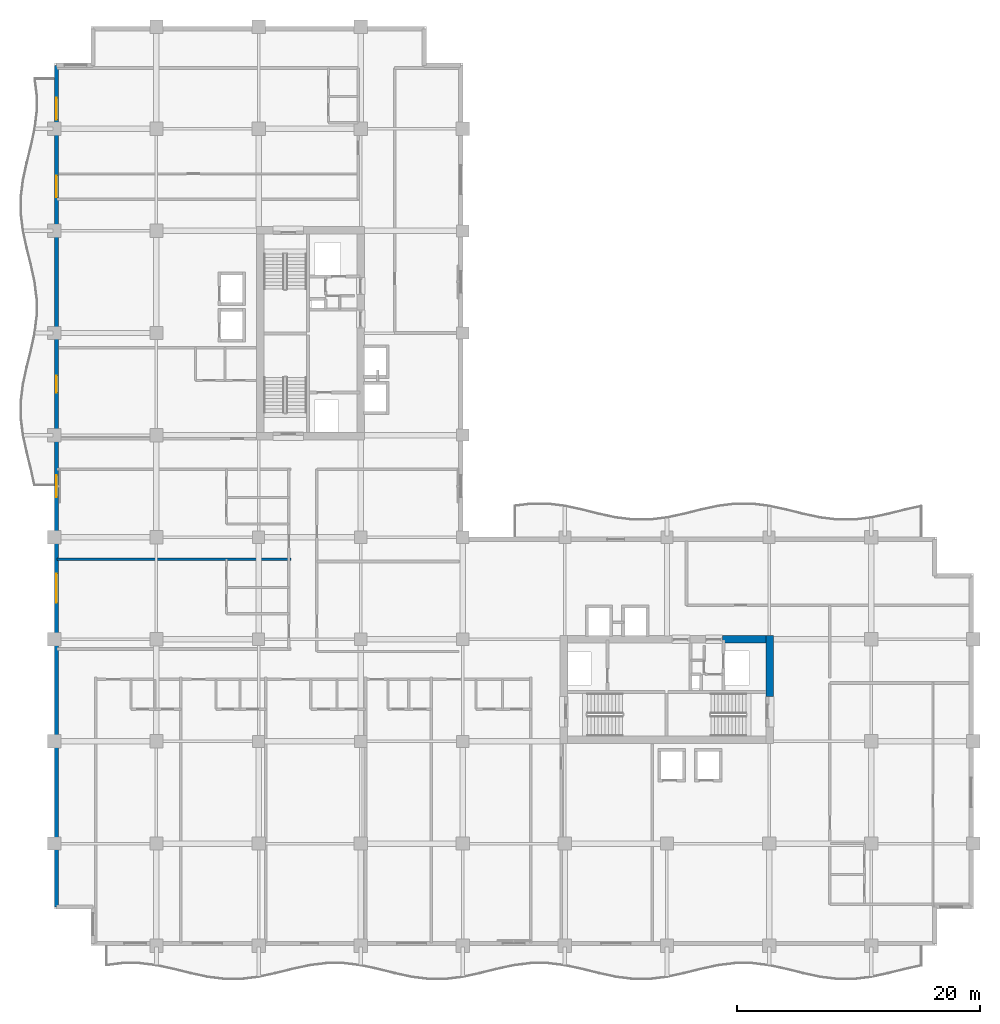
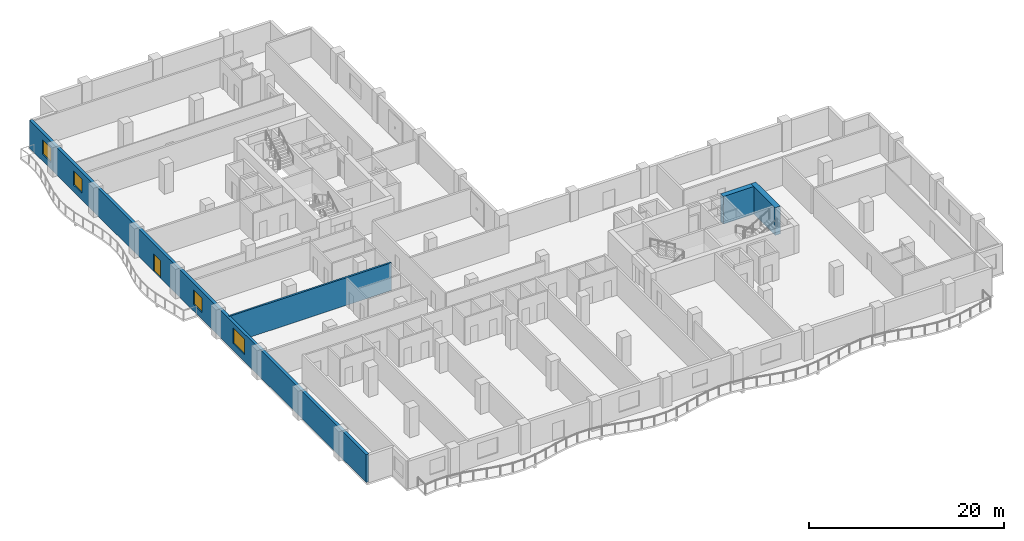
# One storey, part 6 of 15: 4 walls, 4 windows, 1 door, 5 openings.
"""IFC4 building model written with IfcOpenShell, lengths in metres."""

import ifcopenshell
import ifcopenshell.guid

model = None  # the IFC model being written
_history = None  # IfcOwnerHistory: only IFC2X3 demands one
_inside = {}  # id of a spatial element -> (the spatial element, [elements in it])
_under = {}  # id of a project, library or spatial element -> (it, [spatial elements below it])
_declared = {}  # id of a project -> (the project, [libraries it declares])
_typed = {}  # id of a type object -> (the type object, [elements of that type])
_made_of = {}  # id of a material, layer set ... -> (it, [elements and type objects made of it])


def new_model(schema):
    """Start an empty IFC model of exactly this schema.

    Asked for "IFC4X3", IfcOpenShell would pick the latest addendum, in which some entities
    have other attributes; the version numbers below select the first issue.
    IFC2X3 requires an IfcOwnerHistory on every rooted entity: one is made here for all.
    """
    global model, _history
    if schema == "IFC4X3":
        model = ifcopenshell.file(schema_version=(4, 3, 0, 0))
    else:
        model = ifcopenshell.file(schema=schema)
    _inside.clear()
    _under.clear()
    _declared.clear()
    _typed.clear()
    _made_of.clear()
    _history = None
    if model.schema == "IFC2X3":
        org = make("IfcOrganization", Name="unknown")
        user = make(
            "IfcPersonAndOrganization",
            ThePerson=make("IfcPerson", FamilyName="unknown"),
            TheOrganization=org,
        )
        app = make(
            "IfcApplication",
            ApplicationDeveloper=org,
            Version="unknown",
            ApplicationFullName="unknown",
            ApplicationIdentifier="unknown",
        )
        _history = make(
            "IfcOwnerHistory",
            OwningUser=user,
            OwningApplication=app,
            ChangeAction="ADDED",
            CreationDate=0,
        )
    return model


def make(cls, **values):
    """One entity of the class cls with the attributes given. An attribute that is None is left unset."""
    return model.create_entity(
        cls, **{name: value for name, value in values.items() if value is not None}
    )


def rooted(cls, **values):
    """An entity with a GlobalId (a new one), such as an element, a storey or a relation."""
    return make(cls, GlobalId=ifcopenshell.guid.new(), OwnerHistory=_history, **values)


def si_unit(unit_type, name, prefix=None):
    """IfcSIUnit, for example si_unit("LENGTHUNIT", "METRE", prefix="MILLI")."""
    return make("IfcSIUnit", UnitType=unit_type, Prefix=prefix, Name=name)


def assignment(units):
    """IfcUnitAssignment: the units of a project."""
    return None if units is None else make("IfcUnitAssignment", Units=units)


def point(xyz):
    """IfcCartesianPoint."""
    return None if xyz is None else make("IfcCartesianPoint", Coordinates=xyz)


def direction(xyz):
    """IfcDirection."""
    return None if xyz is None else make("IfcDirection", DirectionRatios=xyz)


def frame(location, z_axis=None, x_axis=None):
    """IfcAxis2Placement3D, a coordinate frame: its origin and axes. An axis left out is left unset."""
    return make(
        "IfcAxis2Placement3D",
        Location=point(location),
        Axis=direction(z_axis),
        RefDirection=direction(x_axis),
    )


def frame_2d(location, x_axis=None):
    """IfcAxis2Placement2D, a coordinate frame in the plane: its origin and x axis."""
    return make(
        "IfcAxis2Placement2D", Location=point(location), RefDirection=direction(x_axis)
    )


def origin():
    """The frame at (0, 0, 0) with its axes left unset."""
    return frame((0.0, 0.0, 0.0))


def place(relative_to, where):
    """IfcLocalPlacement: puts the frame where relative to a parent placement (None: the world)."""
    return make(
        "IfcLocalPlacement", PlacementRelTo=relative_to, RelativePlacement=where
    )


def context(
    kind, dimensions, precision=None, world=None, true_north=None, identifier=None
):
    """IfcGeometricRepresentationContext, for example the 3D "Model" context."""
    return make(
        "IfcGeometricRepresentationContext",
        ContextIdentifier=identifier,
        ContextType=kind,
        CoordinateSpaceDimension=dimensions,
        Precision=precision,
        WorldCoordinateSystem=world,
        TrueNorth=true_north,
    )


def subcontext(parent, identifier, kind, view, scale=None):
    """IfcGeometricRepresentationSubContext, for example "Body" below "Model"."""
    return make(
        "IfcGeometricRepresentationSubContext",
        ContextIdentifier=identifier,
        ContextType=kind,
        ParentContext=parent,
        TargetScale=scale,
        TargetView=view,
    )


def project(units=None, contexts=None):
    """IfcProject with its units and contexts."""
    return rooted(
        "IfcProject",
        Name="project",
        RepresentationContexts=contexts,
        UnitsInContext=assignment(units),
    )


def spatial(cls, under=None, at=None, **own):
    """A site, building, storey or space (cls), placed at a placement, below another one or the project."""
    s = rooted(cls, ObjectPlacement=at, **own)
    if under is not None:
        _under.setdefault(under.id(), (under, []))[1].append(s)
    return s


def profile(cls, at=None, kind="AREA", **sizes):
    """A parametric profile (cls). Its sizes go by their IFC names, for example OverallWidth=200.0."""
    return make(cls, ProfileType=kind, Position=at, **sizes)


def rectangle(**sizes):
    """IfcRectangleProfileDef."""
    return profile("IfcRectangleProfileDef", **sizes)


def extrude(swept, where, along, depth):
    """IfcExtrudedAreaSolid: the profile swept, set in the frame where, extruded along a direction by depth."""
    return make(
        "IfcExtrudedAreaSolid",
        SweptArea=swept,
        Position=where,
        ExtrudedDirection=direction(along),
        Depth=depth,
    )


def shape(context_of_items, identifier, shape_type, items):
    """IfcShapeRepresentation: the items that make up one representation, for example the "Body"."""
    return make(
        "IfcShapeRepresentation",
        ContextOfItems=context_of_items,
        RepresentationIdentifier=identifier,
        RepresentationType=shape_type,
        Items=items,
    )


def material(Name=None, Category=None):
    """IfcMaterial."""
    return make("IfcMaterial", Name=Name, Category=Category)


def layer(
    of_material, thickness, ventilated=None, Name=None, Category=None, Priority=None
):
    """IfcMaterialLayer: one layer of a wall or slab, of a material (None: an air gap)."""
    return make(
        "IfcMaterialLayer",
        Material=of_material,
        LayerThickness=thickness,
        IsVentilated=ventilated,
        Name=Name,
        Category=Category,
        Priority=Priority,
    )


def layer_set(layers, Name=None):
    """IfcMaterialLayerSet."""
    return make("IfcMaterialLayerSet", MaterialLayers=layers, LayerSetName=Name)


def made_of(thing, what):
    """Note that an element or type object is made of a material, layer set ...; save() writes the relation."""
    if what is not None:
        _made_of.setdefault(what.id(), (what, []))[1].append(thing)
    return thing


def type_object(cls, material=None, **own):
    """A type object (cls), such as IfcWallType, which elements share."""
    return made_of(rooted(cls, **own), material)


def element(
    cls,
    number,
    at=None,
    inside=None,
    cuts=None,
    type_object=None,
    material=None,
    context=None,
    identifier="Body",
    shape_type=None,
    held_by="IfcProductDefinitionShape",
    body=None,
    shapes=None,
    **own,
):
    """One element of the class cls, such as IfcWall. Its Tag is "e" and its number.

    at: its placement. inside: the storey or other place that contains it. cuts: it is an
    opening in that element (IfcRelVoidsElement). A single representation is given by context,
    identifier, shape_type and body (its items); several are given by shapes. held_by: the class
    of the entity that holds the representations. save() writes the other relations.
    """
    e = rooted(cls, Tag="e%d" % number, ObjectPlacement=at, **own)
    if body is not None:
        shapes = [shape(context, identifier, shape_type, body)]
    if shapes is not None:
        e.Representation = make(held_by, Representations=shapes)
    if inside is not None:
        _inside.setdefault(inside.id(), (inside, []))[1].append(e)
    if cuts is not None:
        rooted(
            "IfcRelVoidsElement", RelatingBuildingElement=cuts, RelatedOpeningElement=e
        )
    if type_object is not None:
        _typed.setdefault(type_object.id(), (type_object, []))[1].append(e)
    return made_of(e, material)


def fill(opening, filler):
    """IfcRelFillsElement: the door or window that sits in an opening."""
    return rooted(
        "IfcRelFillsElement",
        RelatingOpeningElement=opening,
        RelatedBuildingElement=filler,
    )


def aggregate(whole, parts):
    """IfcRelAggregates: a whole, such as a stair, and the parts it consists of."""
    return rooted("IfcRelAggregates", RelatingObject=whole, RelatedObjects=parts)


def save(model, path):
    """Write the relations noted so far, then the file.

    IfcRelAggregates (storeys below a building ...), IfcRelContainedInSpatialStructure (elements
    in a storey), IfcRelDefinesByType, IfcRelAssociatesMaterial and IfcRelDeclares: one each for
    every whole, place, type object, material and project.
    """
    for whole, parts in _under.values():
        aggregate(whole, parts)
    for where, things in _inside.values():
        rooted(
            "IfcRelContainedInSpatialStructure",
            RelatedElements=things,
            RelatingStructure=where,
        )
    for kind, things in _typed.values():
        rooted("IfcRelDefinesByType", RelatedObjects=things, RelatingType=kind)
    for what, things in _made_of.values():
        rooted("IfcRelAssociatesMaterial", RelatedObjects=things, RelatingMaterial=what)
    for by, libraries in _declared.values():
        rooted("IfcRelDeclares", RelatingContext=by, RelatedDefinitions=libraries)
    model.write(path)


model = new_model("IFC4")

# Units and contexts
model_context = context("Model", 3, precision=1e-05, world=origin(), true_north=direction((0.0, 1.0)))
body_context = subcontext(model_context, "Body", "Model", "MODEL_VIEW")
ifc_project = project(units=[si_unit("LENGTHUNIT", "METRE"), si_unit("AREAUNIT", "SQUARE_METRE"), si_unit("VOLUMEUNIT", "CUBIC_METRE"), si_unit("PLANEANGLEUNIT", "RADIAN"), si_unit("MASSUNIT", "GRAM", prefix="KILO")], contexts=[model_context])

# Site, building, storey
site_placement = place(None, origin())
site = spatial("IfcSite", under=ifc_project, at=site_placement, CompositionType="ELEMENT")
building_placement = place(site_placement, origin())
building = spatial("IfcBuilding", under=site, at=building_placement, Name="Koriwani Terraces Tower", CompositionType="ELEMENT")
storey_placement = place(building_placement, frame((0.0, 0.0, 193.89990234375)))
storey = spatial("IfcBuildingStorey", under=building, at=storey_placement, Name="L47", CompositionType="ELEMENT", Elevation=193.89990234375)

# Walls
ifc_material_1 = material(Name="Concrete C60/75", Category="concrete")
ifc_layer_1 = layer(ifc_material_1, 0.60009765625, Name="Concrete C60/75")
ifc_layer_set_1 = layer_set([ifc_layer_1], Name="Concrete C60/75")
wall_type_1 = type_object("IfcWallType", Name="WALL_CORE_RC_600", PredefinedType="SHEAR", material=ifc_layer_set_1)
wall_1_placement = place(storey_placement, frame((58.85009765625, 20.5, 0.0), z_axis=(0.0, 0.0, 1.0), x_axis=(0.0, 1.0, 0.0)))
element("IfcWall", 1, at=wall_1_placement, inside=storey, type_object=wall_type_1, Name="L47 East Split Core Shear Wall E2", PredefinedType="SHEAR", context=body_context, shape_type="SweptSolid", body=[
    extrude(rectangle(XDim=5.0, YDim=0.60009765625, at=frame_2d((2.5, 0.0))), origin(), (0.0, 0.0, 1.0), 3.47021484375),
])
wall_2_placement = place(storey_placement, frame((54.949951171875, 25.199951171875, 0.0), z_axis=(0.0, 0.0, 1.0), x_axis=(1.0, 0.0, 0.0)))
element("IfcWall", 2, at=wall_2_placement, inside=storey, type_object=wall_type_1, Name="L47 East Split Core Shear Wall N3", PredefinedType="SHEAR", context=body_context, shape_type="SweptSolid", body=[
    extrude(rectangle(XDim=3.60009765625, YDim=0.60009765625, at=frame_2d((1.800048828125, 0.0))), origin(), (0.0, 0.0, 1.0), 3.47021484375),
])
ifc_material_2 = material(Name="Autoclaved Cellular Concrete Blockwork", Category="masonry")
ifc_layer_2 = layer(ifc_material_2, 0.219970703125, Name="Autoclaved Cellular Concrete Blockwork")
ifc_layer_set_2 = layer_set([ifc_layer_2], Name="Autoclaved Cellular Concrete Blockwork")
wall_type_2 = type_object("IfcWallType", Name="WALL_DEMISING_220", PredefinedType="PARTITIONING", material=ifc_layer_set_2)
wall_3_placement = place(storey_placement, frame((0.199951171875, 31.800048828125, 0.0), z_axis=(0.0, 0.0, 1.0), x_axis=(1.0, 0.0, 0.0)))
element("IfcWall", 3, at=wall_3_placement, inside=storey, type_object=wall_type_2, Name="L47 Interior Wall WRDEM-L47-NW-1", PredefinedType="PARTITIONING", context=body_context, shape_type="SweptSolid", body=[
    extrude(rectangle(XDim=19.280029296875, YDim=0.219970703125, at=frame_2d((9.64013671875, 0.0))), origin(), (0.0, 0.0, 1.0), 3.47021484375),
])

# Wall, openings, door, windows
ifc_material_3 = material(Name="Concrete C50/60", Category="concrete")
ifc_layer_3 = layer(ifc_material_3, 0.35009765625, Name="Concrete C50/60")
ifc_layer_set_3 = layer_set([ifc_layer_3], Name="Concrete C50/60")
wall_type_3 = type_object("IfcWallType", Name="WALL_EXT_BRUTALIST_350", PredefinedType="STANDARD", material=ifc_layer_set_3)
wall_4_placement = place(storey_placement, frame((0.175048828125, 3.175048828125, 0.0), z_axis=(0.0, 0.0, 1.0), x_axis=(0.0, 1.0, 0.0)))
wall_4 = element("IfcWall", 4, at=wall_4_placement, inside=storey, type_object=wall_type_3, Name="L47 Fair-Faced Brutalist Exterior Wall (W)", PredefinedType="STANDARD", context=body_context, shape_type="SweptSolid", body=[
    extrude(rectangle(XDim=69.25, YDim=0.35009765625, at=frame_2d((34.625, 0.0))), origin(), (0.0, 0.0, 1.0), 3.47021484375),
])
opening_1_placement = place(wall_4_placement, frame((42.324951171875, 0.0, 0.0)))
opening_1 = element("IfcOpeningElement", 5, at=opening_1_placement, cuts=wall_4, Name="Opening D-09", PredefinedType="OPENING", context=body_context, shape_type="SweptSolid", body=[
    extrude(rectangle(XDim=1.39990234375, YDim=2.199951171875, at=frame_2d((0.699951171875, 1.10009765625))), frame((0.0, 0.18505859375, 0.0), z_axis=(0.0, -1.0, 0.0), x_axis=(1.0, 0.0, 0.0)), (0.0, 0.0, 1.0), 0.3701171875),
])
opening_2_placement = place(wall_4_placement, frame((25.02490234375, 0.0, 0.85009765625)))
opening_2 = element("IfcOpeningElement", 6, at=opening_2_placement, cuts=wall_4, Name="Opening W-03", PredefinedType="OPENING", context=body_context, shape_type="SweptSolid", body=[
    extrude(rectangle(XDim=2.39990234375, YDim=1.949951171875, at=frame_2d((1.199951171875, 0.97509765625))), frame((0.0, 0.18505859375, 0.0), z_axis=(0.0, -1.0, 0.0), x_axis=(1.0, 0.0, 0.0)), (0.0, 0.0, 1.0), 0.3701171875),
])
opening_3_placement = place(wall_4_placement, frame((33.72509765625, 0.0, 0.85009765625)))
opening_3 = element("IfcOpeningElement", 7, at=opening_3_placement, cuts=wall_4, Name="Opening W-04", PredefinedType="OPENING", context=body_context, shape_type="SweptSolid", body=[
    extrude(rectangle(XDim=1.800048828125, YDim=1.800048828125, at=frame_2d((0.89990234375, 0.89990234375))), frame((0.0, 0.18505859375, 0.0), z_axis=(0.0, -1.0, 0.0), x_axis=(1.0, 0.0, 0.0)), (0.0, 0.0, 1.0), 0.3701171875),
])
opening_4_placement = place(wall_4_placement, frame((58.375, 0.0, 0.85009765625)))
opening_4 = element("IfcOpeningElement", 8, at=opening_4_placement, cuts=wall_4, Name="Opening W-04", PredefinedType="OPENING", context=body_context, shape_type="SweptSolid", body=[
    extrude(rectangle(XDim=1.800048828125, YDim=1.800048828125, at=frame_2d((0.89990234375, 0.89990234375))), frame((0.0, 0.18505859375, 0.0), z_axis=(0.0, -1.0, 0.0), x_axis=(1.0, 0.0, 0.0)), (0.0, 0.0, 1.0), 0.3701171875),
])
opening_5_placement = place(wall_4_placement, frame((64.77490234375, 0.0, 0.85009765625)))
opening_5 = element("IfcOpeningElement", 9, at=opening_5_placement, cuts=wall_4, Name="Opening W-04", PredefinedType="OPENING", context=body_context, shape_type="SweptSolid", body=[
    extrude(rectangle(XDim=1.800048828125, YDim=1.800048828125, at=frame_2d((0.89990234375, 0.89990234375))), frame((0.0, 0.18505859375, 0.0), z_axis=(0.0, -1.0, 0.0), x_axis=(1.0, 0.0, 0.0)), (0.0, 0.0, 1.0), 0.3701171875),
])
ifc_material_4 = material(Name="Anodised Bronze Aluminium", Category="aluminium")
door_type = type_object("IfcDoorType", Name="DOOR_BALCONY_GLAZED_1400X2200", OperationType="NOTDEFINED", PredefinedType="DOOR", material=ifc_material_4)
door_placement = place(opening_1_placement, origin())
door = element("IfcDoor", 10, at=door_placement, inside=storey, type_object=door_type, Name="L47 West Balcony Glazed Door", OperationType="SINGLE_SWING_LEFT", OverallHeight=2.199951171875, OverallWidth=1.39990234375, PredefinedType="DOOR", context=body_context, shape_type="SweptSolid", body=[
    extrude(rectangle(XDim=1.39990234375, YDim=2.199951171875, at=frame_2d((0.699951171875, 1.10009765625))), frame((0.0, 0.02490234375, 0.0), z_axis=(0.0, -1.0, 0.0), x_axis=(1.0, 0.0, 0.0)), (0.0, 0.0, 1.0), 0.050048828125),
])
fill(opening_1, door)
ifc_material_5 = material(Name="Tempered Laminated Low-E Glass", Category="glass")
window_type_1 = type_object("IfcWindowType", Name="WIN_RES_BED_1800X1800", PartitioningType="DOUBLE_PANEL_VERTICAL", PredefinedType="WINDOW", material=ifc_material_5)
window_1_placement = place(opening_3_placement, origin())
window_1 = element("IfcWindow", 11, at=window_1_placement, inside=storey, type_object=window_type_1, Name="L47 Exterior Window (W-12)", OverallHeight=1.800048828125, OverallWidth=1.800048828125, PartitioningType="SINGLE_PANEL", PredefinedType="WINDOW", context=body_context, shape_type="SweptSolid", body=[
    extrude(rectangle(XDim=1.800048828125, YDim=1.800048828125, at=frame_2d((0.89990234375, 0.89990234375))), frame((0.0, 0.030029296875, 0.0), z_axis=(0.0, -1.0, 0.0), x_axis=(1.0, 0.0, 0.0)), (0.0, 0.0, 1.0), 0.06005859375),
])
fill(opening_3, window_1)
window_2_placement = place(opening_4_placement, origin())
window_2 = element("IfcWindow", 12, at=window_2_placement, inside=storey, type_object=window_type_1, Name="L47 Exterior Window (W-R55)", OverallHeight=1.800048828125, OverallWidth=1.800048828125, PartitioningType="SINGLE_PANEL", PredefinedType="WINDOW", context=body_context, shape_type="SweptSolid", body=[
    extrude(rectangle(XDim=1.800048828125, YDim=1.800048828125, at=frame_2d((0.89990234375, 0.89990234375))), frame((0.0, 0.030029296875, 0.0), z_axis=(0.0, -1.0, 0.0), x_axis=(1.0, 0.0, 0.0)), (0.0, 0.0, 1.0), 0.06005859375),
])
fill(opening_4, window_2)
window_3_placement = place(opening_5_placement, origin())
window_3 = element("IfcWindow", 13, at=window_3_placement, inside=storey, type_object=window_type_1, Name="L47 Exterior Window (W-R56)", OverallHeight=1.800048828125, OverallWidth=1.800048828125, PartitioningType="SINGLE_PANEL", PredefinedType="WINDOW", context=body_context, shape_type="SweptSolid", body=[
    extrude(rectangle(XDim=1.800048828125, YDim=1.800048828125, at=frame_2d((0.89990234375, 0.89990234375))), frame((0.0, 0.030029296875, 0.0), z_axis=(0.0, -1.0, 0.0), x_axis=(1.0, 0.0, 0.0)), (0.0, 0.0, 1.0), 0.06005859375),
])
fill(opening_5, window_3)
window_type_2 = type_object("IfcWindowType", Name="WIN_RES_LIVING_2400X1950", PartitioningType="DOUBLE_PANEL_VERTICAL", PredefinedType="WINDOW", material=ifc_material_5)
window_4_placement = place(opening_2_placement, origin())
window_4 = element("IfcWindow", 14, at=window_4_placement, inside=storey, type_object=window_type_2, Name="L47 Exterior Window (W-9)", OverallHeight=1.949951171875, OverallWidth=2.39990234375, PartitioningType="SINGLE_PANEL", PredefinedType="WINDOW", context=body_context, shape_type="SweptSolid", body=[
    extrude(rectangle(XDim=2.39990234375, YDim=1.949951171875, at=frame_2d((1.199951171875, 0.97509765625))), frame((0.0, 0.030029296875, 0.0), z_axis=(0.0, -1.0, 0.0), x_axis=(1.0, 0.0, 0.0)), (0.0, 0.0, 1.0), 0.06005859375),
])
fill(opening_2, window_4)

save(model, "model.ifc")
